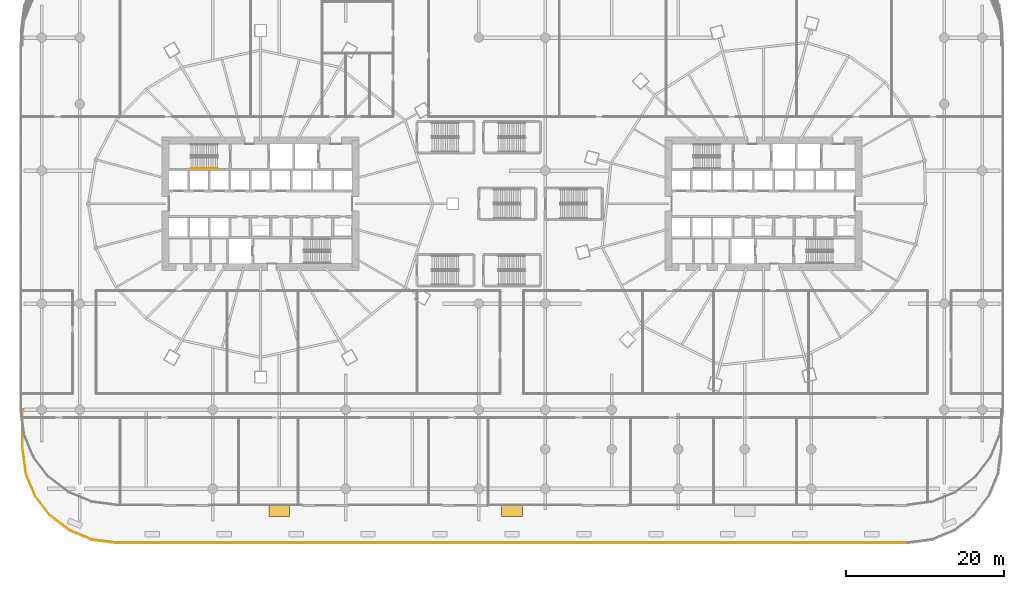
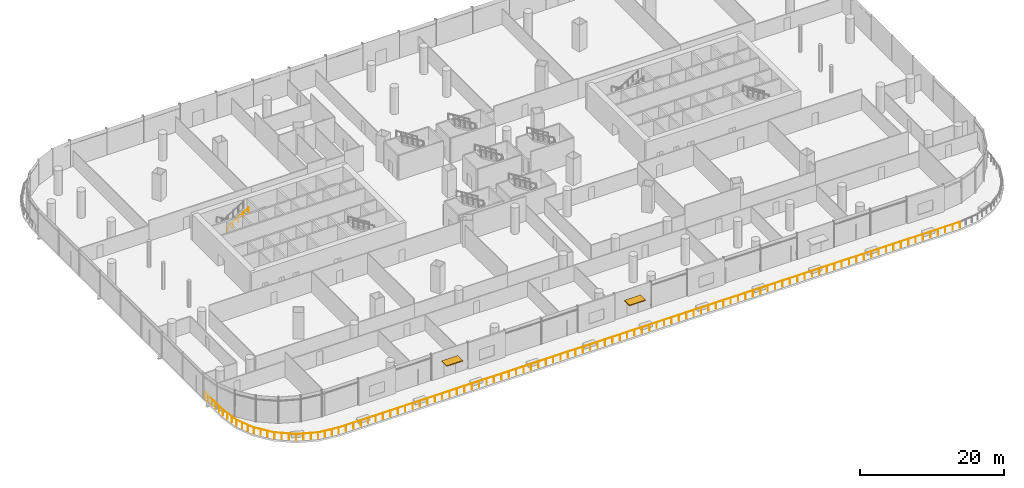
# One storey, part 36 of 43: 3 railings, 2 shading devices.
"""IFC4 building model written with IfcOpenShell, lengths in metres."""

from ifc_helpers import new_model, si_unit, direction, frame, origin, origin_2d, place, context, subcontext, project, spatial, rectangle, circle, extrude, material, layer, layer_set, type_object, element, save


model = new_model("IFC4")

# Units and contexts
model_context = context("Model", 3, precision=1e-05, world=origin(), true_north=direction((0.0, 1.0)))
body_context = subcontext(model_context, "Body", "Model", "MODEL_VIEW")
ifc_project = project(units=[si_unit("LENGTHUNIT", "METRE"), si_unit("AREAUNIT", "SQUARE_METRE"), si_unit("VOLUMEUNIT", "CUBIC_METRE"), si_unit("PLANEANGLEUNIT", "RADIAN"), si_unit("MASSUNIT", "GRAM", prefix="KILO")], contexts=[model_context])

# Site, building, storey
site_placement = place(None, origin())
site = spatial("IfcSite", under=ifc_project, at=site_placement, CompositionType="ELEMENT")
building_placement = place(site_placement, origin())
building = spatial("IfcBuilding", under=site, at=building_placement, Name="Rimbun Link Towers", CompositionType="ELEMENT")
storey_placement = place(building_placement, frame((0.0, 0.0, 12.0)))
storey = spatial("IfcBuildingStorey", under=building, at=storey_placement, Name="L02", CompositionType="ELEMENT", Elevation=12.0)

# Railings
ifc_material_1 = material(Name="Toughened laminated glass, stainless steel grade 316 posts and cap rail", Category="steel")
railing_type_1 = type_object("IfcRailingType", Name="GUARD glass balustrade with stainless cap rail", PredefinedType="BALUSTRADE", material=ifc_material_1)
railing_1_placement = place(storey_placement, frame((-61.800048828125, -26.0, 0.0)))
element("IfcRailing", 1, at=railing_1_placement, inside=storey, type_object=railing_type_1, Name="GUARD glass balustrade", PredefinedType="BALUSTRADE", context=body_context, shape_type="SweptSolid", body=[
    extrude(circle(Radius=0.02392578125, at=origin_2d()), frame((0.0, 0.0, 1.076171875), z_axis=(0.0, -1.0, 0.0), x_axis=(1.0, 0.0, 0.0)), (0.0, 0.0, 1.0), 4.98681640625),
    extrude(circle(Radius=0.02392578125, at=origin_2d()), frame((0.0, -4.98681640625, 1.076171875), z_axis=(0.130540259305, -0.991443009305, 0.0), x_axis=(0.991443009305, 0.130540259305, 0.0)), (0.0, 0.0, 1.0), 3.09326171875),
    extrude(circle(Radius=0.02392578125, at=origin_2d()), frame((0.40380859375, -8.0537109375, 1.076171875), z_axis=(0.382706499462, -0.92386997747, 0.0), x_axis=(0.92386997747, 0.382706499462, 0.0)), (0.0, 0.0, 1.0), 3.079833984375),
    extrude(circle(Radius=0.02392578125, at=origin_2d()), frame((1.58251953125, -10.899169921875, 1.076171875), z_axis=(0.608702762794, -0.793398353015, 0.0), x_axis=(0.793398353015, 0.608702762794, 0.0)), (0.0, 0.0, 1.0), 3.079833984375),
    extrude(circle(Radius=0.02392578125, at=origin_2d()), frame((3.457275390625, -13.3427734375, 1.076171875), z_axis=(0.793398353015, -0.608702762794, 0.0), x_axis=(0.608702762794, 0.793398353015, 0.0)), (0.0, 0.0, 1.0), 3.079833984375),
    extrude(circle(Radius=0.02392578125, at=origin_2d()), frame((5.90087890625, -15.217529296875, 1.076171875), z_axis=(0.92386997747, -0.382706499462, 0.0), x_axis=(0.382706499462, 0.92386997747, 0.0)), (0.0, 0.0, 1.0), 3.079833984375),
    extrude(circle(Radius=0.02392578125, at=origin_2d()), frame((8.746337890625, -16.396240234375, 1.076171875), z_axis=(0.991443009305, -0.130540259305, 0.0), x_axis=(0.130540259305, 0.991443009305, 0.0)), (0.0, 0.0, 1.0), 3.09326171875),
    extrude(circle(Radius=0.02099609375, at=origin_2d()), origin(), (0.0, 0.0, 1.0), 1.052001953125),
    extrude(circle(Radius=0.02099609375, at=origin_2d()), frame((0.0, -0.997314453125, 0.0)), (0.0, 0.0, 1.0), 1.052001953125),
    extrude(circle(Radius=0.02099609375, at=origin_2d()), frame((0.0, -1.99462890625, 0.0)), (0.0, 0.0, 1.0), 1.052001953125),
    extrude(circle(Radius=0.02099609375, at=origin_2d()), frame((0.0, -2.9921875, 0.0)), (0.0, 0.0, 1.0), 1.052001953125),
    extrude(circle(Radius=0.02099609375, at=origin_2d()), frame((0.0, -3.989501953125, 0.0)), (0.0, 0.0, 1.0), 1.052001953125),
    extrude(circle(Radius=0.02099609375, at=origin_2d()), frame((0.0, -4.98681640625, 0.0)), (0.0, 0.0, 1.0), 1.052001953125),
    extrude(circle(Radius=0.02099609375, at=origin_2d()), frame((0.134521484375, -6.009033203125, 0.0)), (0.0, 0.0, 1.0), 1.052001953125),
    extrude(circle(Radius=0.02099609375, at=origin_2d()), frame((0.269287109375, -7.031494140625, 0.0)), (0.0, 0.0, 1.0), 1.052001953125),
    extrude(circle(Radius=0.02099609375, at=origin_2d()), frame((0.40380859375, -8.0537109375, 0.0)), (0.0, 0.0, 1.0), 1.052001953125),
    extrude(circle(Radius=0.02099609375, at=origin_2d()), frame((0.796630859375, -9.002197265625, 0.0)), (0.0, 0.0, 1.0), 1.052001953125),
    extrude(circle(Radius=0.02099609375, at=origin_2d()), frame((1.189697265625, -9.95068359375, 0.0)), (0.0, 0.0, 1.0), 1.052001953125),
    extrude(circle(Radius=0.02099609375, at=origin_2d()), frame((1.58251953125, -10.899169921875, 0.0)), (0.0, 0.0, 1.0), 1.052001953125),
    extrude(circle(Radius=0.02099609375, at=origin_2d()), frame((2.20751953125, -11.713623046875, 0.0)), (0.0, 0.0, 1.0), 1.052001953125),
    extrude(circle(Radius=0.02099609375, at=origin_2d()), frame((2.832275390625, -12.5283203125, 0.0)), (0.0, 0.0, 1.0), 1.052001953125),
    extrude(circle(Radius=0.02099609375, at=origin_2d()), frame((3.457275390625, -13.3427734375, 0.0)), (0.0, 0.0, 1.0), 1.052001953125),
    extrude(circle(Radius=0.02099609375, at=origin_2d()), frame((4.271728515625, -13.9677734375, 0.0)), (0.0, 0.0, 1.0), 1.052001953125),
    extrude(circle(Radius=0.02099609375, at=origin_2d()), frame((5.08642578125, -14.592529296875, 0.0)), (0.0, 0.0, 1.0), 1.052001953125),
    extrude(circle(Radius=0.02099609375, at=origin_2d()), frame((5.90087890625, -15.217529296875, 0.0)), (0.0, 0.0, 1.0), 1.052001953125),
    extrude(circle(Radius=0.02099609375, at=origin_2d()), frame((6.849365234375, -15.6103515625, 0.0)), (0.0, 0.0, 1.0), 1.052001953125),
    extrude(circle(Radius=0.02099609375, at=origin_2d()), frame((7.7978515625, -16.00341796875, 0.0)), (0.0, 0.0, 1.0), 1.052001953125),
    extrude(circle(Radius=0.02099609375, at=origin_2d()), frame((8.746337890625, -16.396240234375, 0.0)), (0.0, 0.0, 1.0), 1.052001953125),
    extrude(circle(Radius=0.02099609375, at=origin_2d()), frame((9.7685546875, -16.53076171875, 0.0)), (0.0, 0.0, 1.0), 1.052001953125),
    extrude(circle(Radius=0.02099609375, at=origin_2d()), frame((10.791015625, -16.66552734375, 0.0)), (0.0, 0.0, 1.0), 1.052001953125),
    extrude(circle(Radius=0.02099609375, at=origin_2d()), frame((11.813232421875, -16.800048828125, 0.0)), (0.0, 0.0, 1.0), 1.052001953125),
])
railing_2_placement = place(storey_placement, frame((-49.98681640625, -42.800048828125, 0.0)))
element("IfcRailing", 2, at=railing_2_placement, inside=storey, type_object=railing_type_1, Name="GUARD glass balustrade", PredefinedType="BALUSTRADE", context=body_context, shape_type="SweptSolid", body=[
    extrude(circle(Radius=0.02392578125, at=origin_2d()), frame((0.0, 0.0, 1.076171875), z_axis=(1.0, 0.0, 0.0), x_axis=(0.0, 1.0, 0.0)), (0.0, 0.0, 1.0), 99.9736328125),
    extrude(circle(Radius=0.02099609375, at=origin_2d()), origin(), (0.0, 0.0, 1.0), 1.052001953125),
    extrude(circle(Radius=0.02099609375, at=origin_2d()), frame((1.190185546875, 0.0, 0.0)), (0.0, 0.0, 1.0), 1.052001953125),
    extrude(circle(Radius=0.02099609375, at=origin_2d()), frame((2.38037109375, 0.0, 0.0)), (0.0, 0.0, 1.0), 1.052001953125),
    extrude(circle(Radius=0.02099609375, at=origin_2d()), frame((3.570556640625, 0.0, 0.0)), (0.0, 0.0, 1.0), 1.052001953125),
    extrude(circle(Radius=0.02099609375, at=origin_2d()), frame((4.7607421875, 0.0, 0.0)), (0.0, 0.0, 1.0), 1.052001953125),
    extrude(circle(Radius=0.02099609375, at=origin_2d()), frame((5.950927734375, 0.0, 0.0)), (0.0, 0.0, 1.0), 1.052001953125),
    extrude(circle(Radius=0.02099609375, at=origin_2d()), frame((7.140869140625, 0.0, 0.0)), (0.0, 0.0, 1.0), 1.052001953125),
    extrude(circle(Radius=0.02099609375, at=origin_2d()), frame((8.3310546875, 0.0, 0.0)), (0.0, 0.0, 1.0), 1.052001953125),
    extrude(circle(Radius=0.02099609375, at=origin_2d()), frame((9.521240234375, 0.0, 0.0)), (0.0, 0.0, 1.0), 1.052001953125),
    extrude(circle(Radius=0.02099609375, at=origin_2d()), frame((10.71142578125, 0.0, 0.0)), (0.0, 0.0, 1.0), 1.052001953125),
    extrude(circle(Radius=0.02099609375, at=origin_2d()), frame((11.901611328125, 0.0, 0.0)), (0.0, 0.0, 1.0), 1.052001953125),
    extrude(circle(Radius=0.02099609375, at=origin_2d()), frame((13.091796875, 0.0, 0.0)), (0.0, 0.0, 1.0), 1.052001953125),
    extrude(circle(Radius=0.02099609375, at=origin_2d()), frame((14.281982421875, 0.0, 0.0)), (0.0, 0.0, 1.0), 1.052001953125),
    extrude(circle(Radius=0.02099609375, at=origin_2d()), frame((15.47216796875, 0.0, 0.0)), (0.0, 0.0, 1.0), 1.052001953125),
    extrude(circle(Radius=0.02099609375, at=origin_2d()), frame((16.662353515625, 0.0, 0.0)), (0.0, 0.0, 1.0), 1.052001953125),
    extrude(circle(Radius=0.02099609375, at=origin_2d()), frame((17.8525390625, 0.0, 0.0)), (0.0, 0.0, 1.0), 1.052001953125),
    extrude(circle(Radius=0.02099609375, at=origin_2d()), frame((19.04248046875, 0.0, 0.0)), (0.0, 0.0, 1.0), 1.052001953125),
    extrude(circle(Radius=0.02099609375, at=origin_2d()), frame((20.232666015625, 0.0, 0.0)), (0.0, 0.0, 1.0), 1.052001953125),
    extrude(circle(Radius=0.02099609375, at=origin_2d()), frame((21.4228515625, 0.0, 0.0)), (0.0, 0.0, 1.0), 1.052001953125),
    extrude(circle(Radius=0.02099609375, at=origin_2d()), frame((22.613037109375, 0.0, 0.0)), (0.0, 0.0, 1.0), 1.052001953125),
    extrude(circle(Radius=0.02099609375, at=origin_2d()), frame((23.80322265625, 0.0, 0.0)), (0.0, 0.0, 1.0), 1.052001953125),
    extrude(circle(Radius=0.02099609375, at=origin_2d()), frame((24.993408203125, 0.0, 0.0)), (0.0, 0.0, 1.0), 1.052001953125),
    extrude(circle(Radius=0.02099609375, at=origin_2d()), frame((26.18359375, 0.0, 0.0)), (0.0, 0.0, 1.0), 1.052001953125),
    extrude(circle(Radius=0.02099609375, at=origin_2d()), frame((27.373779296875, 0.0, 0.0)), (0.0, 0.0, 1.0), 1.052001953125),
    extrude(circle(Radius=0.02099609375, at=origin_2d()), frame((28.56396484375, 0.0, 0.0)), (0.0, 0.0, 1.0), 1.052001953125),
    extrude(circle(Radius=0.02099609375, at=origin_2d()), frame((29.754150390625, 0.0, 0.0)), (0.0, 0.0, 1.0), 1.052001953125),
    extrude(circle(Radius=0.02099609375, at=origin_2d()), frame((30.9443359375, 0.0, 0.0)), (0.0, 0.0, 1.0), 1.052001953125),
    extrude(circle(Radius=0.02099609375, at=origin_2d()), frame((32.13427734375, 0.0, 0.0)), (0.0, 0.0, 1.0), 1.052001953125),
    extrude(circle(Radius=0.02099609375, at=origin_2d()), frame((33.324462890625, 0.0, 0.0)), (0.0, 0.0, 1.0), 1.052001953125),
    extrude(circle(Radius=0.02099609375, at=origin_2d()), frame((34.5146484375, 0.0, 0.0)), (0.0, 0.0, 1.0), 1.052001953125),
    extrude(circle(Radius=0.02099609375, at=origin_2d()), frame((35.704833984375, 0.0, 0.0)), (0.0, 0.0, 1.0), 1.052001953125),
    extrude(circle(Radius=0.02099609375, at=origin_2d()), frame((36.89501953125, 0.0, 0.0)), (0.0, 0.0, 1.0), 1.052001953125),
    extrude(circle(Radius=0.02099609375, at=origin_2d()), frame((38.085205078125, 0.0, 0.0)), (0.0, 0.0, 1.0), 1.052001953125),
    extrude(circle(Radius=0.02099609375, at=origin_2d()), frame((39.275390625, 0.0, 0.0)), (0.0, 0.0, 1.0), 1.052001953125),
    extrude(circle(Radius=0.02099609375, at=origin_2d()), frame((40.465576171875, 0.0, 0.0)), (0.0, 0.0, 1.0), 1.052001953125),
    extrude(circle(Radius=0.02099609375, at=origin_2d()), frame((41.65576171875, 0.0, 0.0)), (0.0, 0.0, 1.0), 1.052001953125),
    extrude(circle(Radius=0.02099609375, at=origin_2d()), frame((42.845947265625, 0.0, 0.0)), (0.0, 0.0, 1.0), 1.052001953125),
    extrude(circle(Radius=0.02099609375, at=origin_2d()), frame((44.035888671875, 0.0, 0.0)), (0.0, 0.0, 1.0), 1.052001953125),
    extrude(circle(Radius=0.02099609375, at=origin_2d()), frame((45.22607421875, 0.0, 0.0)), (0.0, 0.0, 1.0), 1.052001953125),
    extrude(circle(Radius=0.02099609375, at=origin_2d()), frame((46.416259765625, 0.0, 0.0)), (0.0, 0.0, 1.0), 1.052001953125),
    extrude(circle(Radius=0.02099609375, at=origin_2d()), frame((47.6064453125, 0.0, 0.0)), (0.0, 0.0, 1.0), 1.052001953125),
    extrude(circle(Radius=0.02099609375, at=origin_2d()), frame((48.796630859375, 0.0, 0.0)), (0.0, 0.0, 1.0), 1.052001953125),
    extrude(circle(Radius=0.02099609375, at=origin_2d()), frame((49.98681640625, 0.0, 0.0)), (0.0, 0.0, 1.0), 1.052001953125),
    extrude(circle(Radius=0.02099609375, at=origin_2d()), frame((51.177001953125, 0.0, 0.0)), (0.0, 0.0, 1.0), 1.052001953125),
    extrude(circle(Radius=0.02099609375, at=origin_2d()), frame((52.3671875, 0.0, 0.0)), (0.0, 0.0, 1.0), 1.052001953125),
    extrude(circle(Radius=0.02099609375, at=origin_2d()), frame((53.557373046875, 0.0, 0.0)), (0.0, 0.0, 1.0), 1.052001953125),
    extrude(circle(Radius=0.02099609375, at=origin_2d()), frame((54.74755859375, 0.0, 0.0)), (0.0, 0.0, 1.0), 1.052001953125),
    extrude(circle(Radius=0.02099609375, at=origin_2d()), frame((55.937744140625, 0.0, 0.0)), (0.0, 0.0, 1.0), 1.052001953125),
    extrude(circle(Radius=0.02099609375, at=origin_2d()), frame((57.127685546875, 0.0, 0.0)), (0.0, 0.0, 1.0), 1.052001953125),
    extrude(circle(Radius=0.02099609375, at=origin_2d()), frame((58.31787109375, 0.0, 0.0)), (0.0, 0.0, 1.0), 1.052001953125),
    extrude(circle(Radius=0.02099609375, at=origin_2d()), frame((59.508056640625, 0.0, 0.0)), (0.0, 0.0, 1.0), 1.052001953125),
    extrude(circle(Radius=0.02099609375, at=origin_2d()), frame((60.6982421875, 0.0, 0.0)), (0.0, 0.0, 1.0), 1.052001953125),
    extrude(circle(Radius=0.02099609375, at=origin_2d()), frame((61.888427734375, 0.0, 0.0)), (0.0, 0.0, 1.0), 1.052001953125),
    extrude(circle(Radius=0.02099609375, at=origin_2d()), frame((63.07861328125, 0.0, 0.0)), (0.0, 0.0, 1.0), 1.052001953125),
    extrude(circle(Radius=0.02099609375, at=origin_2d()), frame((64.268798828125, 0.0, 0.0)), (0.0, 0.0, 1.0), 1.052001953125),
    extrude(circle(Radius=0.02099609375, at=origin_2d()), frame((65.458984375, 0.0, 0.0)), (0.0, 0.0, 1.0), 1.052001953125),
    extrude(circle(Radius=0.02099609375, at=origin_2d()), frame((66.649169921875, 0.0, 0.0)), (0.0, 0.0, 1.0), 1.052001953125),
    extrude(circle(Radius=0.02099609375, at=origin_2d()), frame((67.83935546875, 0.0, 0.0)), (0.0, 0.0, 1.0), 1.052001953125),
    extrude(circle(Radius=0.02099609375, at=origin_2d()), frame((69.029296875, 0.0, 0.0)), (0.0, 0.0, 1.0), 1.052001953125),
    extrude(circle(Radius=0.02099609375, at=origin_2d()), frame((70.219482421875, 0.0, 0.0)), (0.0, 0.0, 1.0), 1.052001953125),
    extrude(circle(Radius=0.02099609375, at=origin_2d()), frame((71.40966796875, 0.0, 0.0)), (0.0, 0.0, 1.0), 1.052001953125),
    extrude(circle(Radius=0.02099609375, at=origin_2d()), frame((72.599853515625, 0.0, 0.0)), (0.0, 0.0, 1.0), 1.052001953125),
    extrude(circle(Radius=0.02099609375, at=origin_2d()), frame((73.7900390625, 0.0, 0.0)), (0.0, 0.0, 1.0), 1.052001953125),
    extrude(circle(Radius=0.02099609375, at=origin_2d()), frame((74.980224609375, 0.0, 0.0)), (0.0, 0.0, 1.0), 1.052001953125),
    extrude(circle(Radius=0.02099609375, at=origin_2d()), frame((76.17041015625, 0.0, 0.0)), (0.0, 0.0, 1.0), 1.052001953125),
    extrude(circle(Radius=0.02099609375, at=origin_2d()), frame((77.360595703125, 0.0, 0.0)), (0.0, 0.0, 1.0), 1.052001953125),
    extrude(circle(Radius=0.02099609375, at=origin_2d()), frame((78.55078125, 0.0, 0.0)), (0.0, 0.0, 1.0), 1.052001953125),
    extrude(circle(Radius=0.02099609375, at=origin_2d()), frame((79.740966796875, 0.0, 0.0)), (0.0, 0.0, 1.0), 1.052001953125),
    extrude(circle(Radius=0.02099609375, at=origin_2d()), frame((80.93115234375, 0.0, 0.0)), (0.0, 0.0, 1.0), 1.052001953125),
    extrude(circle(Radius=0.02099609375, at=origin_2d()), frame((82.12109375, 0.0, 0.0)), (0.0, 0.0, 1.0), 1.052001953125),
    extrude(circle(Radius=0.02099609375, at=origin_2d()), frame((83.311279296875, 0.0, 0.0)), (0.0, 0.0, 1.0), 1.052001953125),
    extrude(circle(Radius=0.02099609375, at=origin_2d()), frame((84.50146484375, 0.0, 0.0)), (0.0, 0.0, 1.0), 1.052001953125),
    extrude(circle(Radius=0.02099609375, at=origin_2d()), frame((85.691650390625, 0.0, 0.0)), (0.0, 0.0, 1.0), 1.052001953125),
    extrude(circle(Radius=0.02099609375, at=origin_2d()), frame((86.8818359375, 0.0, 0.0)), (0.0, 0.0, 1.0), 1.052001953125),
    extrude(circle(Radius=0.02099609375, at=origin_2d()), frame((88.072021484375, 0.0, 0.0)), (0.0, 0.0, 1.0), 1.052001953125),
    extrude(circle(Radius=0.02099609375, at=origin_2d()), frame((89.26220703125, 0.0, 0.0)), (0.0, 0.0, 1.0), 1.052001953125),
    extrude(circle(Radius=0.02099609375, at=origin_2d()), frame((90.452392578125, 0.0, 0.0)), (0.0, 0.0, 1.0), 1.052001953125),
    extrude(circle(Radius=0.02099609375, at=origin_2d()), frame((91.642578125, 0.0, 0.0)), (0.0, 0.0, 1.0), 1.052001953125),
    extrude(circle(Radius=0.02099609375, at=origin_2d()), frame((92.832763671875, 0.0, 0.0)), (0.0, 0.0, 1.0), 1.052001953125),
    extrude(circle(Radius=0.02099609375, at=origin_2d()), frame((94.022705078125, 0.0, 0.0)), (0.0, 0.0, 1.0), 1.052001953125),
    extrude(circle(Radius=0.02099609375, at=origin_2d()), frame((95.212890625, 0.0, 0.0)), (0.0, 0.0, 1.0), 1.052001953125),
    extrude(circle(Radius=0.02099609375, at=origin_2d()), frame((96.403076171875, 0.0, 0.0)), (0.0, 0.0, 1.0), 1.052001953125),
    extrude(circle(Radius=0.02099609375, at=origin_2d()), frame((97.59326171875, 0.0, 0.0)), (0.0, 0.0, 1.0), 1.052001953125),
    extrude(circle(Radius=0.02099609375, at=origin_2d()), frame((98.783447265625, 0.0, 0.0)), (0.0, 0.0, 1.0), 1.052001953125),
    extrude(circle(Radius=0.02099609375, at=origin_2d()), frame((99.9736328125, 0.0, 0.0)), (0.0, 0.0, 1.0), 1.052001953125),
])

# Shading devices
ifc_material_2 = material(Name="Aluminium 6063-T6 louvre blades in a powder-coated aluminium frame", Category="aluminium")
ifc_layer = layer(ifc_material_2, 0.139892578125)
ifc_layer_set = layer_set([ifc_layer], Name="RAIN CANOPY louvre blades 2600X1400")
shading_device_type = type_object("IfcShadingDeviceType", Name="RAIN CANOPY louvre blades 2600X1400", PredefinedType="AWNING", material=ifc_layer_set)
for number, where, z_axis, x_axis, name in (
    (3, (-29.411865234375, -38.800048828125, 2.7001953125), (0.0, 0.0, 1.0), (-1.0, 0.0, 0.0), "RAIN CANOPY over terrace door"),
    (4, (0.0, -38.800048828125, 2.7001953125), (0.0, 0.0, 1.0), (-1.0, 0.0, 0.0), "RAIN CANOPY over terrace door"),
):
    element("IfcShadingDevice", number, at=place(storey_placement, frame(where, z_axis=z_axis, x_axis=x_axis)), inside=storey, type_object=shading_device_type, Name=name, PredefinedType="AWNING", context=body_context, shape_type="SweptSolid", body=[
        extrude(rectangle(XDim=2.60009765625, YDim=1.39990234375, at=origin_2d()), origin(), (0.0, 0.0, 1.0), 0.139892578125),
    ])

# Railing
ifc_material_3 = material(Name="Stainless steel grade 316", Category="steel")
railing_type_2 = type_object("IfcRailingType", Name="Stair handrail", PredefinedType="HANDRAIL", material=ifc_material_3)
railing_3_placement = place(storey_placement, frame((-40.56005859375, 4.449951171875, 2.423095703125)))
element("IfcRailing", 5, at=railing_3_placement, inside=storey, type_object=railing_type_2, Name="L02 ST1 stair handrail 2", PredefinedType="HANDRAIL", context=body_context, shape_type="SweptSolid", body=[
    extrude(circle(Radius=0.02392578125, at=origin_2d()), frame((0.0, 0.0, 0.8759765625), z_axis=(0.850623216509, 0.0, 0.525775754039), x_axis=(0.0, 1.0, 0.0)), (0.0, 0.0, 1.0), 3.9501953125),
    extrude(circle(Radius=0.02099609375, at=origin_2d()), origin(), (0.0, 0.0, 1.0), 0.851806640625),
    extrude(circle(Radius=0.02099609375, at=origin_2d()), frame((0.840087890625, 0.0, 0.519287109375)), (0.0, 0.0, 1.0), 0.851806640625),
    extrude(circle(Radius=0.02099609375, at=origin_2d()), frame((1.68017578125, 0.0, 1.03857421875)), (0.0, 0.0, 1.0), 0.851806640625),
    extrude(circle(Radius=0.02099609375, at=origin_2d()), frame((2.52001953125, 0.0, 1.5576171875)), (0.0, 0.0, 1.0), 0.851806640625),
    extrude(circle(Radius=0.02099609375, at=origin_2d()), frame((3.360107421875, 0.0, 2.076904296875)), (0.0, 0.0, 1.0), 0.851806640625),
])

save(model, "model.ifc")
